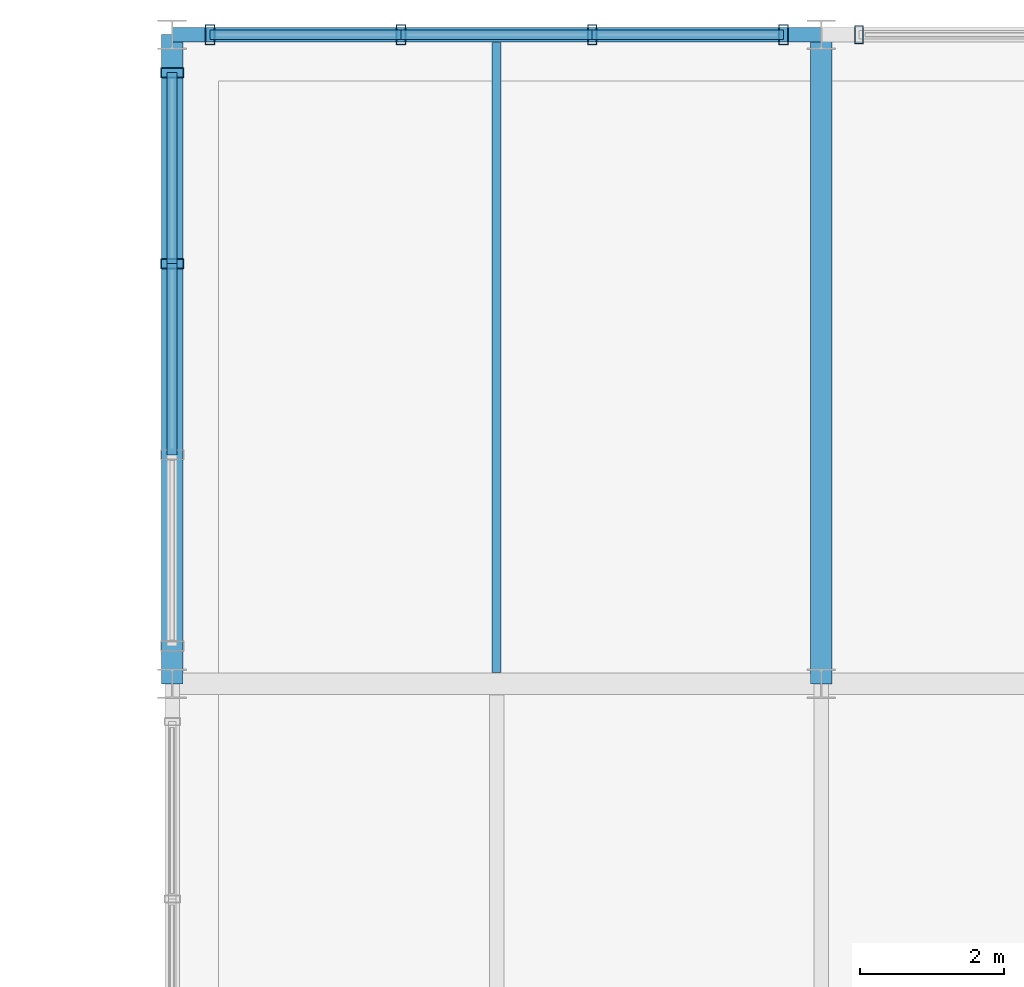
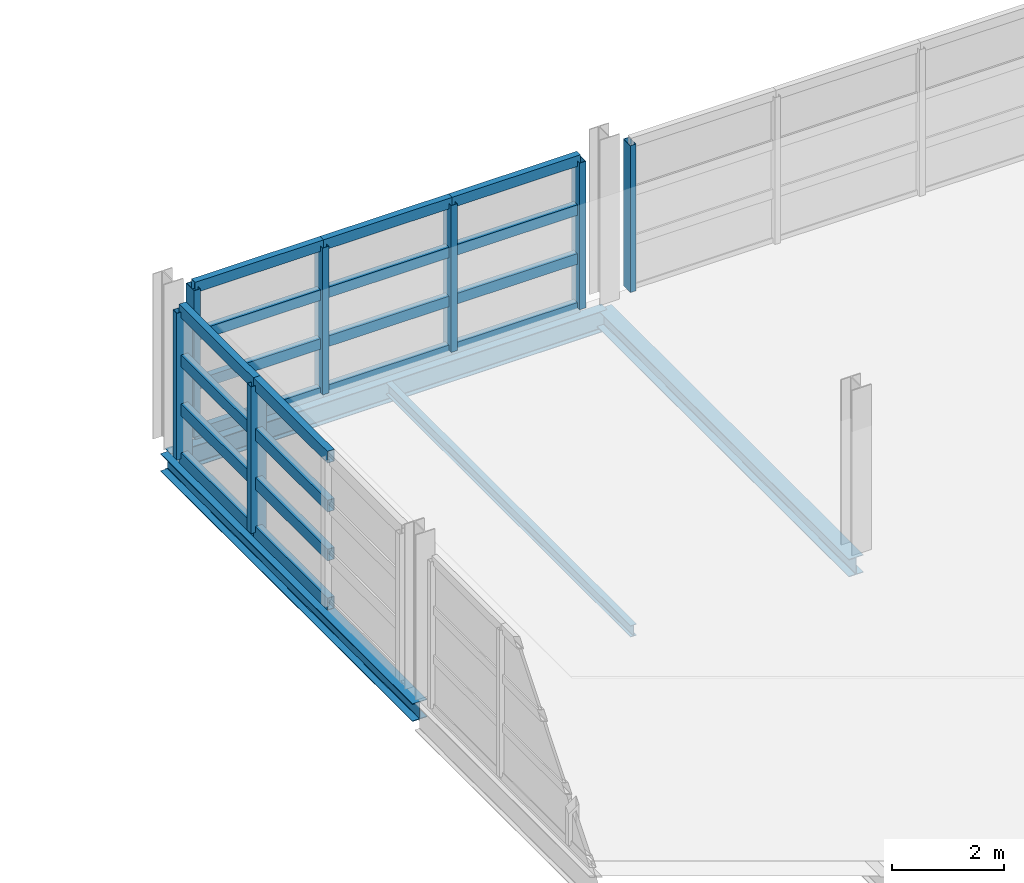
# One storey, part 56 of 116: 27 members, 4 beams, 3 elements without a shape of their own.
"""IFC4 building model written with IfcOpenShell, lengths in metres."""

import ifcopenshell
import ifcopenshell.guid

model = None  # the IFC model being written
_history = None  # IfcOwnerHistory: only IFC2X3 demands one
_inside = {}  # id of a spatial element -> (the spatial element, [elements in it])
_under = {}  # id of a project, library or spatial element -> (it, [spatial elements below it])
_declared = {}  # id of a project -> (the project, [libraries it declares])
_typed = {}  # id of a type object -> (the type object, [elements of that type])
_made_of = {}  # id of a material, layer set ... -> (it, [elements and type objects made of it])


def new_model(schema):
    """Start an empty IFC model of exactly this schema.

    Asked for "IFC4X3", IfcOpenShell would pick the latest addendum, in which some entities
    have other attributes; the version numbers below select the first issue.
    IFC2X3 requires an IfcOwnerHistory on every rooted entity: one is made here for all.
    """
    global model, _history
    if schema == "IFC4X3":
        model = ifcopenshell.file(schema_version=(4, 3, 0, 0))
    else:
        model = ifcopenshell.file(schema=schema)
    _inside.clear()
    _under.clear()
    _declared.clear()
    _typed.clear()
    _made_of.clear()
    _history = None
    if model.schema == "IFC2X3":
        org = make("IfcOrganization", Name="unknown")
        user = make(
            "IfcPersonAndOrganization",
            ThePerson=make("IfcPerson", FamilyName="unknown"),
            TheOrganization=org,
        )
        app = make(
            "IfcApplication",
            ApplicationDeveloper=org,
            Version="unknown",
            ApplicationFullName="unknown",
            ApplicationIdentifier="unknown",
        )
        _history = make(
            "IfcOwnerHistory",
            OwningUser=user,
            OwningApplication=app,
            ChangeAction="ADDED",
            CreationDate=0,
        )
    return model


def make(cls, **values):
    """One entity of the class cls with the attributes given. An attribute that is None is left unset."""
    return model.create_entity(
        cls, **{name: value for name, value in values.items() if value is not None}
    )


def rooted(cls, **values):
    """An entity with a GlobalId (a new one), such as an element, a storey or a relation."""
    return make(cls, GlobalId=ifcopenshell.guid.new(), OwnerHistory=_history, **values)


def si_unit(unit_type, name, prefix=None):
    """IfcSIUnit, for example si_unit("LENGTHUNIT", "METRE", prefix="MILLI")."""
    return make("IfcSIUnit", UnitType=unit_type, Prefix=prefix, Name=name)


def assignment(units):
    """IfcUnitAssignment: the units of a project."""
    return None if units is None else make("IfcUnitAssignment", Units=units)


def point(xyz):
    """IfcCartesianPoint."""
    return None if xyz is None else make("IfcCartesianPoint", Coordinates=xyz)


def direction(xyz):
    """IfcDirection."""
    return None if xyz is None else make("IfcDirection", DirectionRatios=xyz)


def frame(location, z_axis=None, x_axis=None):
    """IfcAxis2Placement3D, a coordinate frame: its origin and axes. An axis left out is left unset."""
    return make(
        "IfcAxis2Placement3D",
        Location=point(location),
        Axis=direction(z_axis),
        RefDirection=direction(x_axis),
    )


def frame_2d(location, x_axis=None):
    """IfcAxis2Placement2D, a coordinate frame in the plane: its origin and x axis."""
    return make(
        "IfcAxis2Placement2D", Location=point(location), RefDirection=direction(x_axis)
    )


def origin():
    """The frame at (0, 0, 0) with its axes left unset."""
    return frame((0.0, 0.0, 0.0))


def origin_2d():
    """The frame at (0, 0) in the plane with its x axis left unset."""
    return frame_2d((0.0, 0.0))


def place(relative_to, where):
    """IfcLocalPlacement: puts the frame where relative to a parent placement (None: the world)."""
    return make(
        "IfcLocalPlacement", PlacementRelTo=relative_to, RelativePlacement=where
    )


def context(
    kind, dimensions, precision=None, world=None, true_north=None, identifier=None
):
    """IfcGeometricRepresentationContext, for example the 3D "Model" context."""
    return make(
        "IfcGeometricRepresentationContext",
        ContextIdentifier=identifier,
        ContextType=kind,
        CoordinateSpaceDimension=dimensions,
        Precision=precision,
        WorldCoordinateSystem=world,
        TrueNorth=true_north,
    )


def subcontext(parent, identifier, kind, view, scale=None):
    """IfcGeometricRepresentationSubContext, for example "Body" below "Model"."""
    return make(
        "IfcGeometricRepresentationSubContext",
        ContextIdentifier=identifier,
        ContextType=kind,
        ParentContext=parent,
        TargetScale=scale,
        TargetView=view,
    )


def project(units=None, contexts=None):
    """IfcProject with its units and contexts."""
    return rooted(
        "IfcProject",
        Name="project",
        RepresentationContexts=contexts,
        UnitsInContext=assignment(units),
    )


def spatial(cls, under=None, at=None, **own):
    """A site, building, storey or space (cls), placed at a placement, below another one or the project."""
    s = rooted(cls, ObjectPlacement=at, **own)
    if under is not None:
        _under.setdefault(under.id(), (under, []))[1].append(s)
    return s


def profile(cls, at=None, kind="AREA", **sizes):
    """A parametric profile (cls). Its sizes go by their IFC names, for example OverallWidth=200.0."""
    return make(cls, ProfileType=kind, Position=at, **sizes)


def hollow_rectangle(**sizes):
    """IfcRectangleHollowProfileDef."""
    return profile("IfcRectangleHollowProfileDef", **sizes)


def i_section(**sizes):
    """IfcIShapeProfileDef."""
    return profile("IfcIShapeProfileDef", **sizes)


def extrude(swept, where, along, depth):
    """IfcExtrudedAreaSolid: the profile swept, set in the frame where, extruded along a direction by depth."""
    return make(
        "IfcExtrudedAreaSolid",
        SweptArea=swept,
        Position=where,
        ExtrudedDirection=direction(along),
        Depth=depth,
    )


def shape(context_of_items, identifier, shape_type, items):
    """IfcShapeRepresentation: the items that make up one representation, for example the "Body"."""
    return make(
        "IfcShapeRepresentation",
        ContextOfItems=context_of_items,
        RepresentationIdentifier=identifier,
        RepresentationType=shape_type,
        Items=items,
    )


def material(Name=None, Category=None):
    """IfcMaterial."""
    return make("IfcMaterial", Name=Name, Category=Category)


def material_profile(
    of_material, cross_section, Name=None, Category=None, Priority=None
):
    """IfcMaterialProfile: a cross section and its material."""
    return make(
        "IfcMaterialProfile",
        Name=Name,
        Material=of_material,
        Profile=cross_section,
        Priority=Priority,
        Category=Category,
    )


def profile_set(profiles, Name=None, composite=None):
    """IfcMaterialProfileSet."""
    return make(
        "IfcMaterialProfileSet",
        Name=Name,
        MaterialProfiles=profiles,
        CompositeProfile=composite,
    )


def made_of(thing, what):
    """Note that an element or type object is made of a material, layer set ...; save() writes the relation."""
    if what is not None:
        _made_of.setdefault(what.id(), (what, []))[1].append(thing)
    return thing


def type_object(cls, material=None, **own):
    """A type object (cls), such as IfcWallType, which elements share."""
    return made_of(rooted(cls, **own), material)


def element(
    cls,
    number,
    at=None,
    inside=None,
    cuts=None,
    type_object=None,
    material=None,
    context=None,
    identifier="Body",
    shape_type=None,
    held_by="IfcProductDefinitionShape",
    body=None,
    shapes=None,
    **own,
):
    """One element of the class cls, such as IfcWall. Its Tag is "e" and its number.

    at: its placement. inside: the storey or other place that contains it. cuts: it is an
    opening in that element (IfcRelVoidsElement). A single representation is given by context,
    identifier, shape_type and body (its items); several are given by shapes. held_by: the class
    of the entity that holds the representations. save() writes the other relations.
    """
    e = rooted(cls, Tag="e%d" % number, ObjectPlacement=at, **own)
    if body is not None:
        shapes = [shape(context, identifier, shape_type, body)]
    if shapes is not None:
        e.Representation = make(held_by, Representations=shapes)
    if inside is not None:
        _inside.setdefault(inside.id(), (inside, []))[1].append(e)
    if cuts is not None:
        rooted(
            "IfcRelVoidsElement", RelatingBuildingElement=cuts, RelatedOpeningElement=e
        )
    if type_object is not None:
        _typed.setdefault(type_object.id(), (type_object, []))[1].append(e)
    return made_of(e, material)


def aggregate(whole, parts):
    """IfcRelAggregates: a whole, such as a stair, and the parts it consists of."""
    return rooted("IfcRelAggregates", RelatingObject=whole, RelatedObjects=parts)


def save(model, path):
    """Write the relations noted so far, then the file.

    IfcRelAggregates (storeys below a building ...), IfcRelContainedInSpatialStructure (elements
    in a storey), IfcRelDefinesByType, IfcRelAssociatesMaterial and IfcRelDeclares: one each for
    every whole, place, type object, material and project.
    """
    for whole, parts in _under.values():
        aggregate(whole, parts)
    for where, things in _inside.values():
        rooted(
            "IfcRelContainedInSpatialStructure",
            RelatedElements=things,
            RelatingStructure=where,
        )
    for kind, things in _typed.values():
        rooted("IfcRelDefinesByType", RelatedObjects=things, RelatingType=kind)
    for what, things in _made_of.values():
        rooted("IfcRelAssociatesMaterial", RelatedObjects=things, RelatingMaterial=what)
    for by, libraries in _declared.values():
        rooted("IfcRelDeclares", RelatingContext=by, RelatedDefinitions=libraries)
    model.write(path)


model = new_model("IFC4")

# Units and contexts
model_context = context("Model", 3, precision=1e-05, world=origin(), true_north=direction((0.0, 1.0)))
body_context = subcontext(model_context, "Body", "Model", "MODEL_VIEW")
ifc_project = project(units=[si_unit("LENGTHUNIT", "METRE"), si_unit("AREAUNIT", "SQUARE_METRE"), si_unit("VOLUMEUNIT", "CUBIC_METRE"), si_unit("PLANEANGLEUNIT", "RADIAN"), si_unit("MASSUNIT", "GRAM", prefix="KILO")], contexts=[model_context])

# Site, building, storey
site_placement = place(None, origin())
site = spatial("IfcSite", under=ifc_project, at=site_placement, CompositionType="ELEMENT")
building_placement = place(site_placement, origin())
building = spatial("IfcBuilding", under=site, at=building_placement, Name="Chuanluo Vaults Station", CompositionType="ELEMENT")
storey_placement = place(building_placement, frame((0.0, 0.0, 10.800048828125)))
storey = spatial("IfcBuildingStorey", under=building, at=storey_placement, Name="L02", CompositionType="ELEMENT", Elevation=10.800048828125)

# Beams
ifc_material_1 = material(Name="Steel Q355C", Category="steel")
ifc_material_profile_1 = material_profile(ifc_material_1, i_section(OverallWidth=0.300048828125, OverallDepth=0.389892578125, WebThickness=0.010009765625, FlangeThickness=0.01611328125, FilletRadius=0.02001953125, at=origin_2d()))
ifc_profile_set_1 = profile_set([ifc_material_profile_1], Name="Steel Q355C")
beam_type_1 = type_object("IfcBeamType", Name="BM-GRD-400", PredefinedType="BEAM", material=ifc_profile_set_1)
for number, where, z_axis, x_axis, name in (
    (1, (117.0, 117.0, -0.4150390625), (0.0, 1.0, 0.0), (-1.0, 0.0, 0.0), "Floor girder BM:GY:L02:0631"),
    (2, (126.0, 117.0, -0.4150390625), (0.0, 1.0, 0.0), (-1.0, 0.0, 0.0), "Floor girder BM:GY:L02:0633"),
):
    element("IfcBeam", number, at=place(storey_placement, frame(where, z_axis=z_axis, x_axis=x_axis)), inside=storey, type_object=beam_type_1, Name=name, PredefinedType="BEAM", context=body_context, shape_type="SweptSolid", body=[
        extrude(i_section(OverallWidth=0.300048828125, OverallDepth=0.389892578125, WebThickness=0.010009765625, FlangeThickness=0.01611328125, FilletRadius=0.02001953125, at=origin_2d()), origin(), (0.0, 0.0, 1.0), 9.0),
    ])
ifc_material_2 = material(Name="Steel Q355C", Category="steel")
ifc_material_profile_2 = material_profile(ifc_material_2, i_section(OverallWidth=0.125, OverallDepth=0.25, WebThickness=0.006103515625, FlangeThickness=0.009033203125, FilletRadius=0.011962890625, at=origin_2d()))
ifc_profile_set_2 = profile_set([ifc_material_profile_2], Name="Steel Q355C")
beam_type_2 = type_object("IfcBeamType", Name="BM-SEC-250", PredefinedType="JOIST", material=ifc_profile_set_2)
beam_1_placement = place(storey_placement, frame((121.5, 117.155029296875, -0.344970703125), z_axis=(0.0, 1.0, 0.0), x_axis=(-1.0, 0.0, 0.0)))
element("IfcBeam", 3, at=beam_1_placement, inside=storey, type_object=beam_type_2, Name="Composite secondary joist 0190", PredefinedType="JOIST", context=body_context, shape_type="SweptSolid", body=[
    extrude(i_section(OverallWidth=0.125, OverallDepth=0.25, WebThickness=0.006103515625, FlangeThickness=0.009033203125, FilletRadius=0.011962890625, at=origin_2d()), origin(), (0.0, 0.0, 1.0), 8.737548828125),
])
ifc_material_3 = material(Name="Steel Q355C", Category="steel")
ifc_material_profile_3 = material_profile(ifc_material_3, i_section(OverallWidth=0.205078125, OverallDepth=0.4599609375, WebThickness=0.009033203125, FlangeThickness=0.013916015625, FilletRadius=0.01611328125, at=origin_2d()))
ifc_profile_set_3 = profile_set([ifc_material_profile_3], Name="Steel Q355C")
beam_type_3 = type_object("IfcBeamType", Name="BM-SPN-450", PredefinedType="SPANDREL", material=ifc_profile_set_3)
beam_2_placement = place(storey_placement, frame((117.0, 126.0, -0.449951171875), z_axis=(1.0, 0.0, 0.0), x_axis=(0.0, 1.0, 0.0)))
element("IfcBeam", 4, at=beam_2_placement, inside=storey, type_object=beam_type_3, Name="Floor girder BM:GX:L02:0612", PredefinedType="SPANDREL", context=body_context, shape_type="SweptSolid", body=[
    extrude(i_section(OverallWidth=0.205078125, OverallDepth=0.4599609375, WebThickness=0.009033203125, FlangeThickness=0.013916015625, FilletRadius=0.01611328125, at=origin_2d()), origin(), (0.0, 0.0, 1.0), 9.0),
])

# Curtain wall, member
ifc_material_4 = material(Name="Anodised aluminium 6063-T6", Category="aluminium")
curtain_wall_type_1 = type_object("IfcCurtainWallType", Name="CW-SYS-11", PredefinedType="NOTDEFINED", material=ifc_material_4)
curtain_wall_1_placement = place(storey_placement, origin())
curtain_wall_1 = element("IfcCurtainWall", 5, at=curtain_wall_1_placement, inside=storey, type_object=curtain_wall_type_1, Name="Operations L02 facade CW", PredefinedType="NOTDEFINED")
ifc_material_5 = material(Name="Anodised aluminium 6063-T6", Category="aluminium")
ifc_material_profile_4 = material_profile(ifc_material_5, hollow_rectangle(XDim=0.1201171875, YDim=0.25, WallThickness=0.006103515625, at=origin_2d()))
ifc_profile_set_4 = profile_set([ifc_material_profile_4], Name="Anodised aluminium 6063-T6")
member_type_1 = type_object("IfcMemberType", Name="CWM-160", PredefinedType="MULLION", material=ifc_profile_set_4)
member_1_placement = place(storey_placement, frame((126.52490234375, 126.0, 0.0), z_axis=(0.0, 0.0, 1.0), x_axis=(1.0, 0.0, 0.0)))
member_1 = element("IfcMember", 6, at=member_1_placement, type_object=member_type_1, Name="Operations L02 facade CW mullion 1", PredefinedType="MULLION", context=body_context, shape_type="SweptSolid", body=[
    extrude(hollow_rectangle(XDim=0.1201171875, YDim=0.25, WallThickness=0.006103515625, at=origin_2d()), origin(), (0.0, 0.0, 1.0), 3.199951171875),
])
aggregate(curtain_wall_1, [member_1])

# Curtain wall, members
ifc_material_6 = material(Name="Anodised aluminium 6063-T6", Category="aluminium")
curtain_wall_type_2 = type_object("IfcCurtainWallType", Name="CW-SYS-10", PredefinedType="NOTDEFINED", material=ifc_material_6)
curtain_wall_2_placement = place(storey_placement, origin())
curtain_wall_2 = element("IfcCurtainWall", 7, at=curtain_wall_2_placement, inside=storey, type_object=curtain_wall_type_2, Name="Operations L02 facade CW", PredefinedType="NOTDEFINED")
ifc_material_7 = material(Name="Anodised aluminium 6063-T6", Category="aluminium")
ifc_material_profile_5 = material_profile(ifc_material_7, hollow_rectangle(XDim=0.1298828125, YDim=0.280029296875, WallThickness=0.007080078125, at=origin_2d()))
ifc_profile_set_5 = profile_set([ifc_material_profile_5], Name="Anodised aluminium 6063-T6")
member_type_2 = type_object("IfcMemberType", Name="CWM-180", PredefinedType="MULLION", material=ifc_profile_set_5)
member_2_placement = place(storey_placement, frame((117.52490234375, 126.0, 0.0), z_axis=(0.0, 0.0, 1.0), x_axis=(1.0, 0.0, 0.0)))
member_2 = element("IfcMember", 8, at=member_2_placement, type_object=member_type_2, Name="Operations L02 facade CW mullion 1", PredefinedType="MULLION", context=body_context, shape_type="SweptSolid", body=[
    extrude(hollow_rectangle(XDim=0.1298828125, YDim=0.280029296875, WallThickness=0.007080078125, at=origin_2d()), origin(), (0.0, 0.0, 1.0), 3.199951171875),
])
member_3_placement = place(storey_placement, frame((120.175048828125, 126.0, 0.0), z_axis=(0.0, 0.0, 1.0), x_axis=(1.0, 0.0, 0.0)))
member_3 = element("IfcMember", 9, at=member_3_placement, type_object=member_type_2, Name="Operations L02 facade CW mullion 2", PredefinedType="MULLION", context=body_context, shape_type="SweptSolid", body=[
    extrude(hollow_rectangle(XDim=0.1298828125, YDim=0.280029296875, WallThickness=0.007080078125, at=origin_2d()), origin(), (0.0, 0.0, 1.0), 3.199951171875),
])
member_4_placement = place(storey_placement, frame((122.824951171875, 126.0, 0.0), z_axis=(0.0, 0.0, 1.0), x_axis=(1.0, 0.0, 0.0)))
member_4 = element("IfcMember", 10, at=member_4_placement, type_object=member_type_2, Name="Operations L02 facade CW mullion 3", PredefinedType="MULLION", context=body_context, shape_type="SweptSolid", body=[
    extrude(hollow_rectangle(XDim=0.1298828125, YDim=0.280029296875, WallThickness=0.007080078125, at=origin_2d()), origin(), (0.0, 0.0, 1.0), 3.199951171875),
])
member_5_placement = place(storey_placement, frame((125.47509765625, 126.0, 0.0), z_axis=(0.0, 0.0, 1.0), x_axis=(1.0, 0.0, 0.0)))
member_5 = element("IfcMember", 11, at=member_5_placement, type_object=member_type_2, Name="Operations L02 facade CW mullion 4", PredefinedType="MULLION", context=body_context, shape_type="SweptSolid", body=[
    extrude(hollow_rectangle(XDim=0.1298828125, YDim=0.280029296875, WallThickness=0.007080078125, at=origin_2d()), origin(), (0.0, 0.0, 1.0), 3.199951171875),
])

ifc_material_8 = material(Name="Anodised aluminium 6063-T6", Category="aluminium")
curtain_wall_type_3 = type_object("IfcCurtainWallType", Name="CW-SYS-09", PredefinedType="NOTDEFINED", material=ifc_material_8)
curtain_wall_3_placement = place(storey_placement, origin())
curtain_wall_3 = element("IfcCurtainWall", 12, at=curtain_wall_3_placement, inside=storey, type_object=curtain_wall_type_3, Name="Operations L02 facade CW", PredefinedType="NOTDEFINED")
ifc_material_9 = material(Name="Anodised aluminium 6063-T6", Category="aluminium")
ifc_material_profile_6 = material_profile(ifc_material_9, hollow_rectangle(XDim=0.139892578125, YDim=0.320068359375, WallThickness=0.008056640625, at=origin_2d()))
ifc_profile_set_6 = profile_set([ifc_material_profile_6], Name="Anodised aluminium 6063-T6")
member_type_3 = type_object("IfcMemberType", Name="CWM-220", PredefinedType="MULLION", material=ifc_profile_set_6)
member_6_placement = place(storey_placement, frame((117.0, 122.824951171875, 0.0), z_axis=(0.0, 0.0, 1.0), x_axis=(0.0, 1.0, 0.0)))
member_6 = element("IfcMember", 13, at=member_6_placement, type_object=member_type_3, Name="Operations L02 facade CW mullion 3", PredefinedType="MULLION", context=body_context, shape_type="SweptSolid", body=[
    extrude(hollow_rectangle(XDim=0.139892578125, YDim=0.320068359375, WallThickness=0.008056640625, at=origin_2d()), origin(), (0.0, 0.0, 1.0), 3.199951171875),
])
member_7_placement = place(storey_placement, frame((117.0, 125.47509765625, 0.0), z_axis=(0.0, 0.0, 1.0), x_axis=(0.0, 1.0, 0.0)))
member_7 = element("IfcMember", 14, at=member_7_placement, type_object=member_type_3, Name="Operations L02 facade CW mullion 4", PredefinedType="MULLION", context=body_context, shape_type="SweptSolid", body=[
    extrude(hollow_rectangle(XDim=0.139892578125, YDim=0.320068359375, WallThickness=0.008056640625, at=origin_2d()), origin(), (0.0, 0.0, 1.0), 3.199951171875),
])

# Member
ifc_material_10 = material(Name="Anodised aluminium 6063-T6", Category="aluminium")
ifc_material_profile_7 = material_profile(ifc_material_10, hollow_rectangle(XDim=0.1298828125, YDim=0.22998046875, WallThickness=0.006103515625, at=origin_2d()))
ifc_profile_set_7 = profile_set([ifc_material_profile_7], Name="Anodised aluminium 6063-T6")
member_type_4 = type_object("IfcMemberType", Name="CWT-150", PredefinedType="USERDEFINED", material=ifc_profile_set_7)
member_8_placement = place(storey_placement, frame((117.52490234375, 126.0, 0.0), z_axis=(1.0, 0.0, 0.0), x_axis=(0.0, 1.0, 0.0)))
member_8 = element("IfcMember", 15, at=member_8_placement, type_object=member_type_4, Name="Operations L02 facade CW transom 1.1", ObjectType="TRANSOM", PredefinedType="USERDEFINED", context=body_context, shape_type="SweptSolid", body=[
    extrude(hollow_rectangle(XDim=0.1298828125, YDim=0.22998046875, WallThickness=0.006103515625, at=origin_2d()), origin(), (0.0, 0.0, 1.0), 2.650146484375),
])

member_9_placement = place(storey_placement, frame((117.52490234375, 126.0, 1.066650390625), z_axis=(1.0, 0.0, 0.0), x_axis=(0.0, 1.0, 0.0)))
member_9 = element("IfcMember", 16, at=member_9_placement, type_object=member_type_4, Name="Operations L02 facade CW transom 1.2", ObjectType="TRANSOM", PredefinedType="USERDEFINED", context=body_context, shape_type="SweptSolid", body=[
    extrude(hollow_rectangle(XDim=0.1298828125, YDim=0.22998046875, WallThickness=0.006103515625, at=origin_2d()), origin(), (0.0, 0.0, 1.0), 2.650146484375),
])

member_10_placement = place(storey_placement, frame((117.52490234375, 126.0, 2.13330078125), z_axis=(1.0, 0.0, 0.0), x_axis=(0.0, 1.0, 0.0)))
member_10 = element("IfcMember", 17, at=member_10_placement, type_object=member_type_4, Name="Operations L02 facade CW transom 1.3", ObjectType="TRANSOM", PredefinedType="USERDEFINED", context=body_context, shape_type="SweptSolid", body=[
    extrude(hollow_rectangle(XDim=0.1298828125, YDim=0.22998046875, WallThickness=0.006103515625, at=origin_2d()), origin(), (0.0, 0.0, 1.0), 2.650146484375),
])

member_11_placement = place(storey_placement, frame((117.52490234375, 126.0, 3.199951171875), z_axis=(1.0, 0.0, 0.0), x_axis=(0.0, 1.0, 0.0)))
member_11 = element("IfcMember", 18, at=member_11_placement, type_object=member_type_4, Name="Operations L02 facade CW transom 1.4", ObjectType="TRANSOM", PredefinedType="USERDEFINED", context=body_context, shape_type="SweptSolid", body=[
    extrude(hollow_rectangle(XDim=0.1298828125, YDim=0.22998046875, WallThickness=0.006103515625, at=origin_2d()), origin(), (0.0, 0.0, 1.0), 2.650146484375),
])

member_12_placement = place(storey_placement, frame((120.175048828125, 126.0, 0.0), z_axis=(1.0, 0.0, 0.0), x_axis=(0.0, 1.0, 0.0)))
member_12 = element("IfcMember", 19, at=member_12_placement, type_object=member_type_4, Name="Operations L02 facade CW transom 2.1", ObjectType="TRANSOM", PredefinedType="USERDEFINED", context=body_context, shape_type="SweptSolid", body=[
    extrude(hollow_rectangle(XDim=0.1298828125, YDim=0.22998046875, WallThickness=0.006103515625, at=origin_2d()), origin(), (0.0, 0.0, 1.0), 2.64990234375),
])

member_13_placement = place(storey_placement, frame((120.175048828125, 126.0, 1.066650390625), z_axis=(1.0, 0.0, 0.0), x_axis=(0.0, 1.0, 0.0)))
member_13 = element("IfcMember", 20, at=member_13_placement, type_object=member_type_4, Name="Operations L02 facade CW transom 2.2", ObjectType="TRANSOM", PredefinedType="USERDEFINED", context=body_context, shape_type="SweptSolid", body=[
    extrude(hollow_rectangle(XDim=0.1298828125, YDim=0.22998046875, WallThickness=0.006103515625, at=origin_2d()), origin(), (0.0, 0.0, 1.0), 2.64990234375),
])

member_14_placement = place(storey_placement, frame((120.175048828125, 126.0, 2.13330078125), z_axis=(1.0, 0.0, 0.0), x_axis=(0.0, 1.0, 0.0)))
member_14 = element("IfcMember", 21, at=member_14_placement, type_object=member_type_4, Name="Operations L02 facade CW transom 2.3", ObjectType="TRANSOM", PredefinedType="USERDEFINED", context=body_context, shape_type="SweptSolid", body=[
    extrude(hollow_rectangle(XDim=0.1298828125, YDim=0.22998046875, WallThickness=0.006103515625, at=origin_2d()), origin(), (0.0, 0.0, 1.0), 2.64990234375),
])

member_15_placement = place(storey_placement, frame((120.175048828125, 126.0, 3.199951171875), z_axis=(1.0, 0.0, 0.0), x_axis=(0.0, 1.0, 0.0)))
member_15 = element("IfcMember", 22, at=member_15_placement, type_object=member_type_4, Name="Operations L02 facade CW transom 2.4", ObjectType="TRANSOM", PredefinedType="USERDEFINED", context=body_context, shape_type="SweptSolid", body=[
    extrude(hollow_rectangle(XDim=0.1298828125, YDim=0.22998046875, WallThickness=0.006103515625, at=origin_2d()), origin(), (0.0, 0.0, 1.0), 2.64990234375),
])

member_16_placement = place(storey_placement, frame((122.824951171875, 126.0, 0.0), z_axis=(1.0, 0.0, 0.0), x_axis=(0.0, 1.0, 0.0)))
member_16 = element("IfcMember", 23, at=member_16_placement, type_object=member_type_4, Name="Operations L02 facade CW transom 3.1", ObjectType="TRANSOM", PredefinedType="USERDEFINED", context=body_context, shape_type="SweptSolid", body=[
    extrude(hollow_rectangle(XDim=0.1298828125, YDim=0.22998046875, WallThickness=0.006103515625, at=origin_2d()), origin(), (0.0, 0.0, 1.0), 2.650146484375),
])

member_17_placement = place(storey_placement, frame((122.824951171875, 126.0, 1.066650390625), z_axis=(1.0, 0.0, 0.0), x_axis=(0.0, 1.0, 0.0)))
member_17 = element("IfcMember", 24, at=member_17_placement, type_object=member_type_4, Name="Operations L02 facade CW transom 3.2", ObjectType="TRANSOM", PredefinedType="USERDEFINED", context=body_context, shape_type="SweptSolid", body=[
    extrude(hollow_rectangle(XDim=0.1298828125, YDim=0.22998046875, WallThickness=0.006103515625, at=origin_2d()), origin(), (0.0, 0.0, 1.0), 2.650146484375),
])

member_18_placement = place(storey_placement, frame((122.824951171875, 126.0, 2.13330078125), z_axis=(1.0, 0.0, 0.0), x_axis=(0.0, 1.0, 0.0)))
member_18 = element("IfcMember", 25, at=member_18_placement, type_object=member_type_4, Name="Operations L02 facade CW transom 3.3", ObjectType="TRANSOM", PredefinedType="USERDEFINED", context=body_context, shape_type="SweptSolid", body=[
    extrude(hollow_rectangle(XDim=0.1298828125, YDim=0.22998046875, WallThickness=0.006103515625, at=origin_2d()), origin(), (0.0, 0.0, 1.0), 2.650146484375),
])

member_19_placement = place(storey_placement, frame((122.824951171875, 126.0, 3.199951171875), z_axis=(1.0, 0.0, 0.0), x_axis=(0.0, 1.0, 0.0)))
member_19 = element("IfcMember", 26, at=member_19_placement, type_object=member_type_4, Name="Operations L02 facade CW transom 3.4", ObjectType="TRANSOM", PredefinedType="USERDEFINED", context=body_context, shape_type="SweptSolid", body=[
    extrude(hollow_rectangle(XDim=0.1298828125, YDim=0.22998046875, WallThickness=0.006103515625, at=origin_2d()), origin(), (0.0, 0.0, 1.0), 2.650146484375),
])

aggregate(curtain_wall_2, [member_2, member_3, member_4, member_5, member_8, member_9, member_10, member_11, member_12, member_13, member_14, member_15, member_16, member_17, member_18, member_19])

ifc_material_11 = material(Name="Anodised aluminium 6063-T6", Category="aluminium")
ifc_material_profile_8 = material_profile(ifc_material_11, hollow_rectangle(XDim=0.139892578125, YDim=0.260009765625, WallThickness=0.007080078125, at=origin_2d()))
ifc_profile_set_8 = profile_set([ifc_material_profile_8], Name="Anodised aluminium 6063-T6")
member_type_5 = type_object("IfcMemberType", Name="CWT-180", PredefinedType="USERDEFINED", material=ifc_profile_set_8)
member_20_placement = place(storey_placement, frame((117.0, 120.175048828125, 0.0), z_axis=(0.0, 1.0, 0.0), x_axis=(-1.0, 0.0, 0.0)))
member_20 = element("IfcMember", 27, at=member_20_placement, type_object=member_type_5, Name="Operations L02 facade CW transom 2.1", ObjectType="TRANSOM", PredefinedType="USERDEFINED", context=body_context, shape_type="SweptSolid", body=[
    extrude(hollow_rectangle(XDim=0.139892578125, YDim=0.260009765625, WallThickness=0.007080078125, at=origin_2d()), origin(), (0.0, 0.0, 1.0), 2.64990234375),
])

member_21_placement = place(storey_placement, frame((117.0, 120.175048828125, 1.066650390625), z_axis=(0.0, 1.0, 0.0), x_axis=(-1.0, 0.0, 0.0)))
member_21 = element("IfcMember", 28, at=member_21_placement, type_object=member_type_5, Name="Operations L02 facade CW transom 2.2", ObjectType="TRANSOM", PredefinedType="USERDEFINED", context=body_context, shape_type="SweptSolid", body=[
    extrude(hollow_rectangle(XDim=0.139892578125, YDim=0.260009765625, WallThickness=0.007080078125, at=origin_2d()), origin(), (0.0, 0.0, 1.0), 2.64990234375),
])

member_22_placement = place(storey_placement, frame((117.0, 120.175048828125, 2.13330078125), z_axis=(0.0, 1.0, 0.0), x_axis=(-1.0, 0.0, 0.0)))
member_22 = element("IfcMember", 29, at=member_22_placement, type_object=member_type_5, Name="Operations L02 facade CW transom 2.3", ObjectType="TRANSOM", PredefinedType="USERDEFINED", context=body_context, shape_type="SweptSolid", body=[
    extrude(hollow_rectangle(XDim=0.139892578125, YDim=0.260009765625, WallThickness=0.007080078125, at=origin_2d()), origin(), (0.0, 0.0, 1.0), 2.64990234375),
])

member_23_placement = place(storey_placement, frame((117.0, 120.175048828125, 3.199951171875), z_axis=(0.0, 1.0, 0.0), x_axis=(-1.0, 0.0, 0.0)))
member_23 = element("IfcMember", 30, at=member_23_placement, type_object=member_type_5, Name="Operations L02 facade CW transom 2.4", ObjectType="TRANSOM", PredefinedType="USERDEFINED", context=body_context, shape_type="SweptSolid", body=[
    extrude(hollow_rectangle(XDim=0.139892578125, YDim=0.260009765625, WallThickness=0.007080078125, at=origin_2d()), origin(), (0.0, 0.0, 1.0), 2.64990234375),
])

member_24_placement = place(storey_placement, frame((117.0, 122.824951171875, 0.0), z_axis=(0.0, 1.0, 0.0), x_axis=(-1.0, 0.0, 0.0)))
member_24 = element("IfcMember", 31, at=member_24_placement, type_object=member_type_5, Name="Operations L02 facade CW transom 3.1", ObjectType="TRANSOM", PredefinedType="USERDEFINED", context=body_context, shape_type="SweptSolid", body=[
    extrude(hollow_rectangle(XDim=0.139892578125, YDim=0.260009765625, WallThickness=0.007080078125, at=origin_2d()), origin(), (0.0, 0.0, 1.0), 2.650146484375),
])

member_25_placement = place(storey_placement, frame((117.0, 122.824951171875, 1.066650390625), z_axis=(0.0, 1.0, 0.0), x_axis=(-1.0, 0.0, 0.0)))
member_25 = element("IfcMember", 32, at=member_25_placement, type_object=member_type_5, Name="Operations L02 facade CW transom 3.2", ObjectType="TRANSOM", PredefinedType="USERDEFINED", context=body_context, shape_type="SweptSolid", body=[
    extrude(hollow_rectangle(XDim=0.139892578125, YDim=0.260009765625, WallThickness=0.007080078125, at=origin_2d()), origin(), (0.0, 0.0, 1.0), 2.650146484375),
])

member_26_placement = place(storey_placement, frame((117.0, 122.824951171875, 2.13330078125), z_axis=(0.0, 1.0, 0.0), x_axis=(-1.0, 0.0, 0.0)))
member_26 = element("IfcMember", 33, at=member_26_placement, type_object=member_type_5, Name="Operations L02 facade CW transom 3.3", ObjectType="TRANSOM", PredefinedType="USERDEFINED", context=body_context, shape_type="SweptSolid", body=[
    extrude(hollow_rectangle(XDim=0.139892578125, YDim=0.260009765625, WallThickness=0.007080078125, at=origin_2d()), origin(), (0.0, 0.0, 1.0), 2.650146484375),
])

member_27_placement = place(storey_placement, frame((117.0, 122.824951171875, 3.199951171875), z_axis=(0.0, 1.0, 0.0), x_axis=(-1.0, 0.0, 0.0)))
member_27 = element("IfcMember", 34, at=member_27_placement, type_object=member_type_5, Name="Operations L02 facade CW transom 3.4", ObjectType="TRANSOM", PredefinedType="USERDEFINED", context=body_context, shape_type="SweptSolid", body=[
    extrude(hollow_rectangle(XDim=0.139892578125, YDim=0.260009765625, WallThickness=0.007080078125, at=origin_2d()), origin(), (0.0, 0.0, 1.0), 2.650146484375),
])

aggregate(curtain_wall_3, [member_6, member_7, member_20, member_21, member_22, member_23, member_24, member_25, member_26, member_27])

save(model, "model.ifc")
